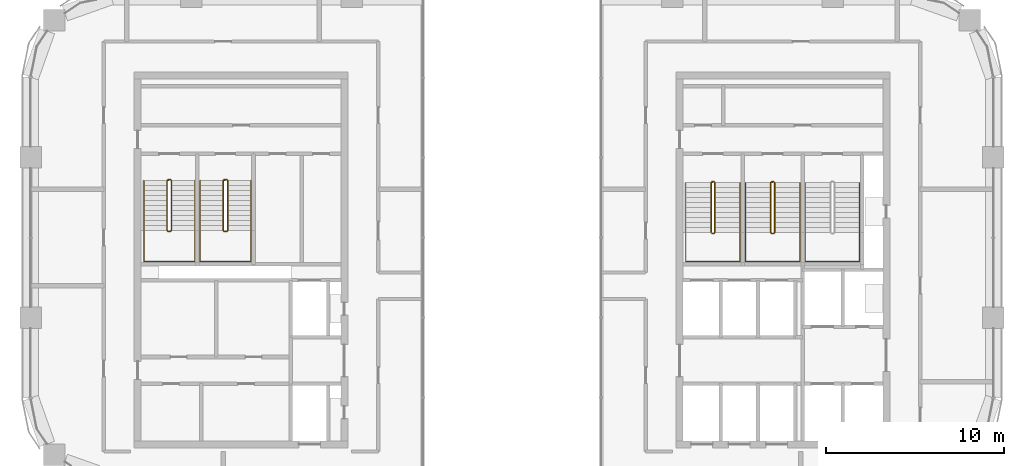
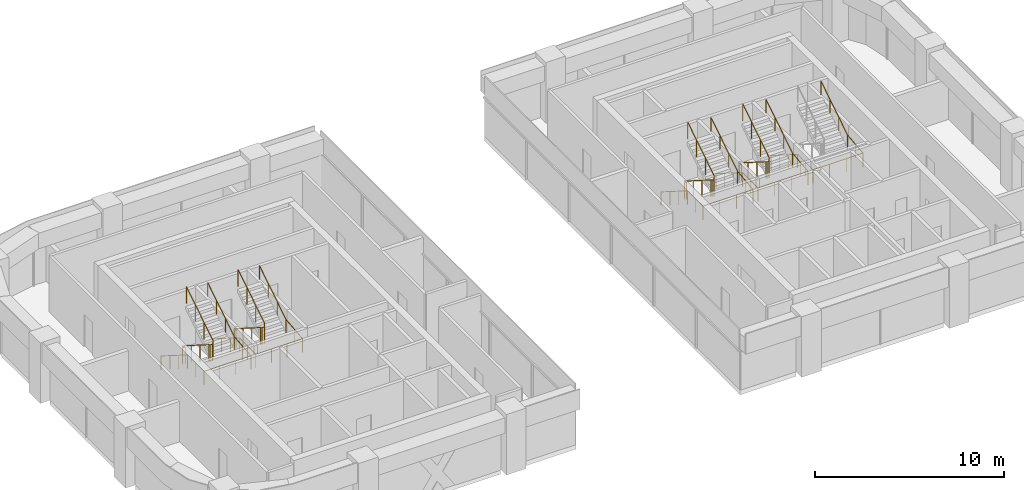
# One storey, part 11 of 12: 9 railings.
"""IFC4 building model written with IfcOpenShell, lengths in metres."""

from ifc_helpers import new_model, si_unit, direction, frame, origin, origin_2d, place, context, subcontext, project, spatial, circle, extrude, material, type_object, element, save


model = new_model("IFC4")

# Units and contexts
model_context = context("Model", 3, precision=1e-05, world=origin(), true_north=direction((0.0, 1.0)))
body_context = subcontext(model_context, "Body", "Model", "MODEL_VIEW")
ifc_project = project(units=[si_unit("LENGTHUNIT", "METRE"), si_unit("AREAUNIT", "SQUARE_METRE"), si_unit("VOLUMEUNIT", "CUBIC_METRE"), si_unit("PLANEANGLEUNIT", "RADIAN"), si_unit("MASSUNIT", "GRAM", prefix="KILO")], contexts=[model_context])

# Site, building, storey
site_placement = place(None, origin())
site = spatial("IfcSite", under=ifc_project, at=site_placement, CompositionType="ELEMENT")
building_placement = place(site_placement, origin())
building = spatial("IfcBuilding", under=site, at=building_placement, Name="Tessera Arch", CompositionType="ELEMENT")
storey_placement = place(building_placement, frame((0.0, 0.0, 207.199951171875)))
storey = spatial("IfcBuildingStorey", under=building, at=storey_placement, Name="L49", CompositionType="ELEMENT", Elevation=207.199951171875)

# Railings
ifc_material_1 = material(Name="Painted steel balustrade", Category="steel")
railing_type_1 = type_object("IfcRailingType", Name="Stair guard 1100", PredefinedType="GUARDRAIL", material=ifc_material_1)
railing_1_placement = place(storey_placement, frame((38.219970703125, 43.6298828125, 0.0)))
element("IfcRailing", 1, at=railing_1_placement, inside=storey, type_object=railing_type_1, Name="L49 S1a stair guard 1", PredefinedType="GUARDRAIL", context=body_context, shape_type="SweptSolid", body=[
    extrude(circle(Radius=0.02392578125, at=origin_2d()), frame((-0.00390625, 0.0, 1.076171875), z_axis=(1.0, 0.0, 0.0), x_axis=(0.0, 1.0, 0.0)), (0.0, 0.0, 1.0), 0.1181640625),
    extrude(circle(Radius=0.02392578125, at=origin_2d()), frame((0.11279296875, 0.000732421875, 1.0732421875), z_axis=(-0.656319048605, -0.204099216335, 0.726353093426), x_axis=(0.296948579431, -0.954893471113, 0.0)), (0.0, 0.0, 1.0), 0.251953125),
    extrude(circle(Radius=0.02392578125, at=origin_2d()), frame((-0.050048828125, -0.04638671875, 1.251220703125), z_axis=(0.0, -0.844908973607, 0.534910110503), x_axis=(1.0, 0.0, 0.0)), (0.0, 0.0, 1.0), 3.322021484375),
    extrude(circle(Radius=0.02392578125, at=origin_2d()), frame((-0.052978515625, -2.846923828125, 3.02587890625), z_axis=(0.707106781187, -0.707106781187, 0.0), x_axis=(0.707106781187, 0.707106781187, 0.0)), (0.0, 0.0, 1.0), 0.078857421875),
    extrude(circle(Radius=0.02392578125, at=origin_2d()), frame((-0.00390625, -2.89990234375, 3.02587890625), z_axis=(1.0, 0.0, 0.0), x_axis=(0.0, 1.0, 0.0)), (0.0, 0.0, 1.0), 0.1181640625),
    extrude(circle(Radius=0.02392578125, at=origin_2d()), frame((0.109130859375, -2.90087890625, 3.022216796875), z_axis=(0.260731885961, 0.262009983441, 0.929176868105), x_axis=(-0.708833529934, 0.705375805398, 0.0)), (0.0, 0.0, 1.0), 0.198974609375),
    extrude(circle(Radius=0.02392578125, at=origin_2d()), frame((0.159912109375, -2.853271484375, 3.201416015625), z_axis=(0.0, 0.844908973607, 0.534910110503), x_axis=(-1.0, 0.0, 0.0)), (0.0, 0.0, 1.0), 3.322021484375),
    extrude(circle(Radius=0.02099609375, at=origin_2d()), origin(), (0.0, 0.0, 1.0), 1.06396484375),
    extrude(circle(Radius=0.02099609375, at=origin_2d()), frame((0.110107421875, 0.0, 0.0)), (0.0, 0.0, 1.0), 1.06396484375),
    extrude(circle(Radius=0.02099609375, at=origin_2d()), frame((-0.050048828125, -0.0498046875, 0.17724609375)), (0.0, 0.0, 1.0), 1.06396484375),
    extrude(circle(Radius=0.02099609375, at=origin_2d()), frame((-0.050048828125, -0.983154296875, 0.76806640625)), (0.0, 0.0, 1.0), 1.06396484375),
    extrude(circle(Radius=0.02099609375, at=origin_2d()), frame((-0.050048828125, -1.91650390625, 1.359130859375)), (0.0, 0.0, 1.0), 1.06396484375),
    extrude(circle(Radius=0.02099609375, at=origin_2d()), frame((-0.050048828125, -2.849853515625, 1.949951171875)), (0.0, 0.0, 1.0), 1.06396484375),
    extrude(circle(Radius=0.02099609375, at=origin_2d()), frame((0.0, -2.89990234375, 1.949951171875)), (0.0, 0.0, 1.0), 1.06396484375),
    extrude(circle(Radius=0.02099609375, at=origin_2d()), frame((0.110107421875, -2.89990234375, 1.949951171875)), (0.0, 0.0, 1.0), 1.06396484375),
    extrude(circle(Radius=0.02099609375, at=origin_2d()), frame((0.159912109375, -2.849853515625, 2.12744140625)), (0.0, 0.0, 1.0), 1.06396484375),
    extrude(circle(Radius=0.02099609375, at=origin_2d()), frame((0.159912109375, -1.91650390625, 2.71826171875)), (0.0, 0.0, 1.0), 1.06396484375),
    extrude(circle(Radius=0.02099609375, at=origin_2d()), frame((0.159912109375, -0.983154296875, 3.309326171875)), (0.0, 0.0, 1.0), 1.06396484375),
    extrude(circle(Radius=0.02099609375, at=origin_2d()), frame((0.159912109375, -0.0498046875, 3.900146484375)), (0.0, 0.0, 1.0), 1.06396484375),
])
railing_2_placement = place(storey_placement, frame((41.570068359375, 43.6298828125, 0.0)))
element("IfcRailing", 2, at=railing_2_placement, inside=storey, type_object=railing_type_1, Name="L49 S1b stair guard 1", PredefinedType="GUARDRAIL", context=body_context, shape_type="SweptSolid", body=[
    extrude(circle(Radius=0.02392578125, at=origin_2d()), frame((-0.00390625, 0.0, 1.076171875), z_axis=(1.0, 0.0, 0.0), x_axis=(0.0, 1.0, 0.0)), (0.0, 0.0, 1.0), 0.117919921875),
    extrude(circle(Radius=0.02392578125, at=origin_2d()), frame((0.112548828125, 0.000732421875, 1.0732421875), z_axis=(-0.65574896516, -0.204233265485, 0.726830150696), x_axis=(0.297361876254, -0.954764847777, 0.0)), (0.0, 0.0, 1.0), 0.251953125),
    extrude(circle(Radius=0.02392578125, at=origin_2d()), frame((-0.050048828125, -0.04638671875, 1.251220703125), z_axis=(0.0, -0.844908973607, 0.534910110503), x_axis=(1.0, 0.0, 0.0)), (0.0, 0.0, 1.0), 3.322021484375),
    extrude(circle(Radius=0.02392578125, at=origin_2d()), frame((-0.052978515625, -2.846923828125, 3.02587890625), z_axis=(0.707106781187, -0.707106781187, 0.0), x_axis=(0.707106781187, 0.707106781187, 0.0)), (0.0, 0.0, 1.0), 0.078857421875),
    extrude(circle(Radius=0.02392578125, at=origin_2d()), frame((-0.00390625, -2.89990234375, 3.02587890625), z_axis=(1.0, 0.0, 0.0), x_axis=(0.0, 1.0, 0.0)), (0.0, 0.0, 1.0), 0.117919921875),
    extrude(circle(Radius=0.02392578125, at=origin_2d()), frame((0.10888671875, -2.90087890625, 3.022216796875), z_axis=(0.261922500866, 0.261922500866, 0.928866625022), x_axis=(-0.707106781187, 0.707106781187, 0.0)), (0.0, 0.0, 1.0), 0.198974609375),
    extrude(circle(Radius=0.02392578125, at=origin_2d()), frame((0.159912109375, -2.853271484375, 3.201416015625), z_axis=(0.0, 0.844908973607, 0.534910110503), x_axis=(-1.0, 0.0, 0.0)), (0.0, 0.0, 1.0), 3.322021484375),
    extrude(circle(Radius=0.02099609375, at=origin_2d()), origin(), (0.0, 0.0, 1.0), 1.06396484375),
    extrude(circle(Radius=0.02099609375, at=origin_2d()), frame((0.10986328125, 0.0, 0.0)), (0.0, 0.0, 1.0), 1.06396484375),
    extrude(circle(Radius=0.02099609375, at=origin_2d()), frame((-0.050048828125, -0.0498046875, 0.17724609375)), (0.0, 0.0, 1.0), 1.06396484375),
    extrude(circle(Radius=0.02099609375, at=origin_2d()), frame((-0.050048828125, -0.983154296875, 0.76806640625)), (0.0, 0.0, 1.0), 1.06396484375),
    extrude(circle(Radius=0.02099609375, at=origin_2d()), frame((-0.050048828125, -1.91650390625, 1.359130859375)), (0.0, 0.0, 1.0), 1.06396484375),
    extrude(circle(Radius=0.02099609375, at=origin_2d()), frame((-0.050048828125, -2.849853515625, 1.949951171875)), (0.0, 0.0, 1.0), 1.06396484375),
    extrude(circle(Radius=0.02099609375, at=origin_2d()), frame((0.0, -2.89990234375, 1.949951171875)), (0.0, 0.0, 1.0), 1.06396484375),
    extrude(circle(Radius=0.02099609375, at=origin_2d()), frame((0.10986328125, -2.89990234375, 1.949951171875)), (0.0, 0.0, 1.0), 1.06396484375),
    extrude(circle(Radius=0.02099609375, at=origin_2d()), frame((0.159912109375, -2.849853515625, 2.12744140625)), (0.0, 0.0, 1.0), 1.06396484375),
    extrude(circle(Radius=0.02099609375, at=origin_2d()), frame((0.159912109375, -1.91650390625, 2.71826171875)), (0.0, 0.0, 1.0), 1.06396484375),
    extrude(circle(Radius=0.02099609375, at=origin_2d()), frame((0.159912109375, -0.983154296875, 3.309326171875)), (0.0, 0.0, 1.0), 1.06396484375),
    extrude(circle(Radius=0.02099609375, at=origin_2d()), frame((0.159912109375, -0.0498046875, 3.900146484375)), (0.0, 0.0, 1.0), 1.06396484375),
])
railing_3_placement = place(storey_placement, frame((7.699951171875, 43.75, 0.0)))
element("IfcRailing", 3, at=railing_3_placement, inside=storey, type_object=railing_type_1, Name="L49 S2a stair guard 1", PredefinedType="GUARDRAIL", context=body_context, shape_type="SweptSolid", body=[
    extrude(circle(Radius=0.02392578125, at=origin_2d()), frame((-0.00390625, 0.0, 1.076171875), z_axis=(1.0, 0.0, 0.0), x_axis=(0.0, 1.0, 0.0)), (0.0, 0.0, 1.0), 0.158203125),
    extrude(circle(Radius=0.02392578125, at=origin_2d()), frame((0.153076171875, 0.000732421875, 1.073486328125), z_axis=(-0.735936453418, -0.183984113355, 0.651573006319), x_axis=(0.242535625036, -0.970142500145, 0.0)), (0.0, 0.0, 1.0), 0.280029296875),
    extrude(circle(Radius=0.02392578125, at=origin_2d()), frame((-0.050048828125, -0.046630859375, 1.251220703125), z_axis=(0.0, -0.844908973607, 0.534910110503), x_axis=(1.0, 0.0, 0.0)), (0.0, 0.0, 1.0), 3.322021484375),
    extrude(circle(Radius=0.02392578125, at=origin_2d()), frame((-0.052978515625, -2.84716796875, 3.02587890625), z_axis=(0.708833529934, -0.705375805398, 0.0), x_axis=(0.705375805398, 0.708833529934, 0.0)), (0.0, 0.0, 1.0), 0.07861328125),
    extrude(circle(Radius=0.02392578125, at=origin_2d()), frame((-0.00390625, -2.89990234375, 3.02587890625), z_axis=(1.0, 0.0, 0.0), x_axis=(0.0, 1.0, 0.0)), (0.0, 0.0, 1.0), 0.158203125),
    extrude(circle(Radius=0.02392578125, at=origin_2d()), frame((0.149169921875, -2.90087890625, 3.022216796875), z_axis=(0.26081902908, 0.26081902908, 0.92948742226), x_axis=(-0.707106781187, 0.707106781187, 0.0)), (0.0, 0.0, 1.0), 0.198974609375),
    extrude(circle(Radius=0.02392578125, at=origin_2d()), frame((0.199951171875, -2.853515625, 3.201416015625), z_axis=(0.0, 0.844908973607, 0.534910110503), x_axis=(-1.0, 0.0, 0.0)), (0.0, 0.0, 1.0), 3.322021484375),
    extrude(circle(Radius=0.02099609375, at=origin_2d()), origin(), (0.0, 0.0, 1.0), 1.06396484375),
    extrude(circle(Radius=0.02099609375, at=origin_2d()), frame((0.150146484375, 0.0, 0.0)), (0.0, 0.0, 1.0), 1.06396484375),
    extrude(circle(Radius=0.02099609375, at=origin_2d()), frame((-0.050048828125, -0.050048828125, 0.17724609375)), (0.0, 0.0, 1.0), 1.06396484375),
    extrude(circle(Radius=0.02099609375, at=origin_2d()), frame((-0.050048828125, -0.9833984375, 0.76806640625)), (0.0, 0.0, 1.0), 1.06396484375),
    extrude(circle(Radius=0.02099609375, at=origin_2d()), frame((-0.050048828125, -1.916748046875, 1.359130859375)), (0.0, 0.0, 1.0), 1.06396484375),
    extrude(circle(Radius=0.02099609375, at=origin_2d()), frame((-0.050048828125, -2.85009765625, 1.949951171875)), (0.0, 0.0, 1.0), 1.06396484375),
    extrude(circle(Radius=0.02099609375, at=origin_2d()), frame((0.0, -2.89990234375, 1.949951171875)), (0.0, 0.0, 1.0), 1.06396484375),
    extrude(circle(Radius=0.02099609375, at=origin_2d()), frame((0.150146484375, -2.89990234375, 1.949951171875)), (0.0, 0.0, 1.0), 1.06396484375),
    extrude(circle(Radius=0.02099609375, at=origin_2d()), frame((0.199951171875, -2.85009765625, 2.12744140625)), (0.0, 0.0, 1.0), 1.06396484375),
    extrude(circle(Radius=0.02099609375, at=origin_2d()), frame((0.199951171875, -1.916748046875, 2.71826171875)), (0.0, 0.0, 1.0), 1.06396484375),
    extrude(circle(Radius=0.02099609375, at=origin_2d()), frame((0.199951171875, -0.9833984375, 3.309326171875)), (0.0, 0.0, 1.0), 1.06396484375),
    extrude(circle(Radius=0.02099609375, at=origin_2d()), frame((0.199951171875, -0.050048828125, 3.900146484375)), (0.0, 0.0, 1.0), 1.06396484375),
])
railing_4_placement = place(storey_placement, frame((10.85009765625, 43.75, 0.0)))
element("IfcRailing", 4, at=railing_4_placement, inside=storey, type_object=railing_type_1, Name="L49 S2b stair guard 1", PredefinedType="GUARDRAIL", context=body_context, shape_type="SweptSolid", body=[
    extrude(circle(Radius=0.02392578125, at=origin_2d()), frame((-0.00390625, 0.0, 1.076171875), z_axis=(1.0, 0.0, 0.0), x_axis=(0.0, 1.0, 0.0)), (0.0, 0.0, 1.0), 0.157958984375),
    extrude(circle(Radius=0.02392578125, at=origin_2d()), frame((0.15283203125, 0.000732421875, 1.073486328125), z_axis=(-0.735524641326, -0.184105679453, 0.652003528208), x_axis=(0.242814311512, -0.970072785993, 0.0)), (0.0, 0.0, 1.0), 0.27978515625),
    extrude(circle(Radius=0.02392578125, at=origin_2d()), frame((-0.050048828125, -0.046630859375, 1.251220703125), z_axis=(0.0, -0.844908973607, 0.534910110503), x_axis=(1.0, 0.0, 0.0)), (0.0, 0.0, 1.0), 3.322021484375),
    extrude(circle(Radius=0.02392578125, at=origin_2d()), frame((-0.052978515625, -2.84716796875, 3.02587890625), z_axis=(0.708833529934, -0.705375805398, 0.0), x_axis=(0.705375805398, 0.708833529934, 0.0)), (0.0, 0.0, 1.0), 0.07861328125),
    extrude(circle(Radius=0.02392578125, at=origin_2d()), frame((-0.00390625, -2.89990234375, 3.02587890625), z_axis=(1.0, 0.0, 0.0), x_axis=(0.0, 1.0, 0.0)), (0.0, 0.0, 1.0), 0.157958984375),
    extrude(circle(Radius=0.02392578125, at=origin_2d()), frame((0.14892578125, -2.90087890625, 3.022216796875), z_axis=(0.262009983441, 0.260731885961, 0.929176868105), x_axis=(-0.705375805398, 0.708833529934, 0.0)), (0.0, 0.0, 1.0), 0.198974609375),
    extrude(circle(Radius=0.02392578125, at=origin_2d()), frame((0.199951171875, -2.853515625, 3.201416015625), z_axis=(0.0, 0.844908973607, 0.534910110503), x_axis=(-1.0, 0.0, 0.0)), (0.0, 0.0, 1.0), 3.322021484375),
    extrude(circle(Radius=0.02099609375, at=origin_2d()), origin(), (0.0, 0.0, 1.0), 1.06396484375),
    extrude(circle(Radius=0.02099609375, at=origin_2d()), frame((0.14990234375, 0.0, 0.0)), (0.0, 0.0, 1.0), 1.06396484375),
    extrude(circle(Radius=0.02099609375, at=origin_2d()), frame((-0.050048828125, -0.050048828125, 0.17724609375)), (0.0, 0.0, 1.0), 1.06396484375),
    extrude(circle(Radius=0.02099609375, at=origin_2d()), frame((-0.050048828125, -0.9833984375, 0.76806640625)), (0.0, 0.0, 1.0), 1.06396484375),
    extrude(circle(Radius=0.02099609375, at=origin_2d()), frame((-0.050048828125, -1.916748046875, 1.359130859375)), (0.0, 0.0, 1.0), 1.06396484375),
    extrude(circle(Radius=0.02099609375, at=origin_2d()), frame((-0.050048828125, -2.85009765625, 1.949951171875)), (0.0, 0.0, 1.0), 1.06396484375),
    extrude(circle(Radius=0.02099609375, at=origin_2d()), frame((0.0, -2.89990234375, 1.949951171875)), (0.0, 0.0, 1.0), 1.06396484375),
    extrude(circle(Radius=0.02099609375, at=origin_2d()), frame((0.14990234375, -2.89990234375, 1.949951171875)), (0.0, 0.0, 1.0), 1.06396484375),
    extrude(circle(Radius=0.02099609375, at=origin_2d()), frame((0.199951171875, -2.85009765625, 2.12744140625)), (0.0, 0.0, 1.0), 1.06396484375),
    extrude(circle(Radius=0.02099609375, at=origin_2d()), frame((0.199951171875, -1.916748046875, 2.71826171875)), (0.0, 0.0, 1.0), 1.06396484375),
    extrude(circle(Radius=0.02099609375, at=origin_2d()), frame((0.199951171875, -0.9833984375, 3.309326171875)), (0.0, 0.0, 1.0), 1.06396484375),
    extrude(circle(Radius=0.02099609375, at=origin_2d()), frame((0.199951171875, -0.050048828125, 3.900146484375)), (0.0, 0.0, 1.0), 1.06396484375),
])
ifc_material_2 = material(Name="Painted steel handrail", Category="steel")
railing_type_2 = type_object("IfcRailingType", Name="Stair handrail 900", PredefinedType="HANDRAIL", material=ifc_material_2)
railing_5_placement = place(storey_placement, frame((36.75, 43.580078125, 0.17724609375)))
element("IfcRailing", 5, at=railing_5_placement, inside=storey, type_object=railing_type_2, Name="L49 S1a stair handrail", PredefinedType="HANDRAIL", context=body_context, shape_type="SweptSolid", body=[
    extrude(circle(Radius=0.02392578125, at=origin_2d()), frame((0.0, 0.00341796875, 0.873779296875), z_axis=(0.0, -0.844908973607, 0.534910110503), x_axis=(1.0, 0.0, 0.0)), (0.0, 0.0, 1.0), 3.322021484375),
    extrude(circle(Radius=0.02392578125, at=origin_2d()), frame((0.0, -2.796142578125, 2.6484375), z_axis=(0.0, -1.0, 0.0), x_axis=(1.0, 0.0, 0.0)), (0.0, 0.0, 1.0), 1.63818359375),
    extrude(circle(Radius=0.02392578125, at=origin_2d()), frame((-0.00390625, -4.43017578125, 2.6484375), z_axis=(1.0, 0.0, 0.0), x_axis=(0.0, 1.0, 0.0)), (0.0, 0.0, 1.0), 3.05810546875),
    extrude(circle(Radius=0.02392578125, at=origin_2d()), frame((3.050048828125, -4.43408203125, 2.648193359375), z_axis=(0.0, 0.994124627078, 0.108241516233), x_axis=(-1.0, 0.0, 0.0)), (0.0, 0.0, 1.0), 1.647705078125),
    extrude(circle(Radius=0.02392578125, at=origin_2d()), frame((3.050048828125, -2.803466796875, 2.823974609375), z_axis=(0.0, 0.844908973607, 0.534910110503), x_axis=(-1.0, 0.0, 0.0)), (0.0, 0.0, 1.0), 3.322021484375),
    extrude(circle(Radius=0.02099609375, at=origin_2d()), origin(), (0.0, 0.0, 1.0), 0.86376953125),
    extrude(circle(Radius=0.02099609375, at=origin_2d()), frame((0.0, -0.933349609375, 0.5908203125)), (0.0, 0.0, 1.0), 0.86376953125),
    extrude(circle(Radius=0.02099609375, at=origin_2d()), frame((0.0, -1.86669921875, 1.181884765625)), (0.0, 0.0, 1.0), 0.86376953125),
    extrude(circle(Radius=0.02099609375, at=origin_2d()), frame((0.0, -2.800048828125, 1.772705078125)), (0.0, 0.0, 1.0), 0.86376953125),
    extrude(circle(Radius=0.02099609375, at=origin_2d()), frame((0.0, -3.615234375, 1.772705078125)), (0.0, 0.0, 1.0), 0.86376953125),
    extrude(circle(Radius=0.02099609375, at=origin_2d()), frame((0.0, -4.43017578125, 1.772705078125)), (0.0, 0.0, 1.0), 0.86376953125),
    extrude(circle(Radius=0.02099609375, at=origin_2d()), frame((1.0166015625, -4.43017578125, 1.772705078125)), (0.0, 0.0, 1.0), 0.86376953125),
    extrude(circle(Radius=0.02099609375, at=origin_2d()), frame((2.033447265625, -4.43017578125, 1.772705078125)), (0.0, 0.0, 1.0), 0.86376953125),
    extrude(circle(Radius=0.02099609375, at=origin_2d()), frame((3.050048828125, -4.43017578125, 1.772705078125)), (0.0, 0.0, 1.0), 0.86376953125),
    extrude(circle(Radius=0.02099609375, at=origin_2d()), frame((3.050048828125, -3.615234375, 1.861328125)), (0.0, 0.0, 1.0), 0.86376953125),
    extrude(circle(Radius=0.02099609375, at=origin_2d()), frame((3.050048828125, -2.800048828125, 1.9501953125)), (0.0, 0.0, 1.0), 0.86376953125),
    extrude(circle(Radius=0.02099609375, at=origin_2d()), frame((3.050048828125, -1.86669921875, 2.541015625)), (0.0, 0.0, 1.0), 0.86376953125),
    extrude(circle(Radius=0.02099609375, at=origin_2d()), frame((3.050048828125, -0.933349609375, 3.132080078125)), (0.0, 0.0, 1.0), 0.86376953125),
    extrude(circle(Radius=0.02099609375, at=origin_2d()), frame((3.050048828125, 0.0, 3.722900390625)), (0.0, 0.0, 1.0), 0.86376953125),
])
railing_6_placement = place(storey_placement, frame((40.10009765625, 43.580078125, 0.17724609375)))
element("IfcRailing", 6, at=railing_6_placement, inside=storey, type_object=railing_type_2, Name="L49 S1b stair handrail", PredefinedType="HANDRAIL", context=body_context, shape_type="SweptSolid", body=[
    extrude(circle(Radius=0.02392578125, at=origin_2d()), frame((0.0, 0.00341796875, 0.873779296875), z_axis=(0.0, -0.844908973607, 0.534910110503), x_axis=(1.0, 0.0, 0.0)), (0.0, 0.0, 1.0), 3.322021484375),
    extrude(circle(Radius=0.02392578125, at=origin_2d()), frame((0.0, -2.796142578125, 2.6484375), z_axis=(0.0, -1.0, 0.0), x_axis=(1.0, 0.0, 0.0)), (0.0, 0.0, 1.0), 1.63818359375),
    extrude(circle(Radius=0.02392578125, at=origin_2d()), frame((-0.00390625, -4.43017578125, 2.6484375), z_axis=(1.0, 0.0, 0.0), x_axis=(0.0, 1.0, 0.0)), (0.0, 0.0, 1.0), 3.057861328125),
    extrude(circle(Radius=0.02392578125, at=origin_2d()), frame((3.0498046875, -4.43408203125, 2.648193359375), z_axis=(0.0, 0.994124627078, 0.108241516233), x_axis=(-1.0, 0.0, 0.0)), (0.0, 0.0, 1.0), 1.647705078125),
    extrude(circle(Radius=0.02392578125, at=origin_2d()), frame((3.0498046875, -2.803466796875, 2.823974609375), z_axis=(0.0, 0.844908973607, 0.534910110503), x_axis=(-1.0, 0.0, 0.0)), (0.0, 0.0, 1.0), 3.322021484375),
    extrude(circle(Radius=0.02099609375, at=origin_2d()), origin(), (0.0, 0.0, 1.0), 0.86376953125),
    extrude(circle(Radius=0.02099609375, at=origin_2d()), frame((0.0, -0.933349609375, 0.5908203125)), (0.0, 0.0, 1.0), 0.86376953125),
    extrude(circle(Radius=0.02099609375, at=origin_2d()), frame((0.0, -1.86669921875, 1.181884765625)), (0.0, 0.0, 1.0), 0.86376953125),
    extrude(circle(Radius=0.02099609375, at=origin_2d()), frame((0.0, -2.800048828125, 1.772705078125)), (0.0, 0.0, 1.0), 0.86376953125),
    extrude(circle(Radius=0.02099609375, at=origin_2d()), frame((0.0, -3.615234375, 1.772705078125)), (0.0, 0.0, 1.0), 0.86376953125),
    extrude(circle(Radius=0.02099609375, at=origin_2d()), frame((0.0, -4.43017578125, 1.772705078125)), (0.0, 0.0, 1.0), 0.86376953125),
    extrude(circle(Radius=0.02099609375, at=origin_2d()), frame((1.0166015625, -4.43017578125, 1.772705078125)), (0.0, 0.0, 1.0), 0.86376953125),
    extrude(circle(Radius=0.02099609375, at=origin_2d()), frame((2.033203125, -4.43017578125, 1.772705078125)), (0.0, 0.0, 1.0), 0.86376953125),
    extrude(circle(Radius=0.02099609375, at=origin_2d()), frame((3.0498046875, -4.43017578125, 1.772705078125)), (0.0, 0.0, 1.0), 0.86376953125),
    extrude(circle(Radius=0.02099609375, at=origin_2d()), frame((3.0498046875, -3.615234375, 1.861328125)), (0.0, 0.0, 1.0), 0.86376953125),
    extrude(circle(Radius=0.02099609375, at=origin_2d()), frame((3.0498046875, -2.800048828125, 1.9501953125)), (0.0, 0.0, 1.0), 0.86376953125),
    extrude(circle(Radius=0.02099609375, at=origin_2d()), frame((3.0498046875, -1.86669921875, 2.541015625)), (0.0, 0.0, 1.0), 0.86376953125),
    extrude(circle(Radius=0.02099609375, at=origin_2d()), frame((3.0498046875, -0.933349609375, 3.132080078125)), (0.0, 0.0, 1.0), 0.86376953125),
    extrude(circle(Radius=0.02099609375, at=origin_2d()), frame((3.0498046875, 0.0, 3.722900390625)), (0.0, 0.0, 1.0), 0.86376953125),
])
railing_7_placement = place(storey_placement, frame((43.449951171875, 43.580078125, 0.17724609375)))
element("IfcRailing", 7, at=railing_7_placement, inside=storey, type_object=railing_type_2, Name="L49 S1c stair handrail", PredefinedType="HANDRAIL", context=body_context, shape_type="SweptSolid", body=[
    extrude(circle(Radius=0.02392578125, at=origin_2d()), frame((0.0, 0.00341796875, 0.873779296875), z_axis=(0.0, -0.844908973607, 0.534910110503), x_axis=(1.0, 0.0, 0.0)), (0.0, 0.0, 1.0), 3.322021484375),
    extrude(circle(Radius=0.02392578125, at=origin_2d()), frame((0.0, -2.796142578125, 2.6484375), z_axis=(0.0, -1.0, 0.0), x_axis=(1.0, 0.0, 0.0)), (0.0, 0.0, 1.0), 1.63818359375),
    extrude(circle(Radius=0.02392578125, at=origin_2d()), frame((-0.00390625, -4.43017578125, 2.6484375), z_axis=(1.0, 0.0, 0.0), x_axis=(0.0, 1.0, 0.0)), (0.0, 0.0, 1.0), 3.05810546875),
    extrude(circle(Radius=0.02392578125, at=origin_2d()), frame((3.050048828125, -4.43408203125, 2.648193359375), z_axis=(0.0, 0.994124627078, 0.108241516233), x_axis=(-1.0, 0.0, 0.0)), (0.0, 0.0, 1.0), 1.647705078125),
    extrude(circle(Radius=0.02392578125, at=origin_2d()), frame((3.050048828125, -2.803466796875, 2.823974609375), z_axis=(0.0, 0.844908973607, 0.534910110503), x_axis=(-1.0, 0.0, 0.0)), (0.0, 0.0, 1.0), 3.322021484375),
    extrude(circle(Radius=0.02099609375, at=origin_2d()), origin(), (0.0, 0.0, 1.0), 0.86376953125),
    extrude(circle(Radius=0.02099609375, at=origin_2d()), frame((0.0, -0.933349609375, 0.5908203125)), (0.0, 0.0, 1.0), 0.86376953125),
    extrude(circle(Radius=0.02099609375, at=origin_2d()), frame((0.0, -1.86669921875, 1.181884765625)), (0.0, 0.0, 1.0), 0.86376953125),
    extrude(circle(Radius=0.02099609375, at=origin_2d()), frame((0.0, -2.800048828125, 1.772705078125)), (0.0, 0.0, 1.0), 0.86376953125),
    extrude(circle(Radius=0.02099609375, at=origin_2d()), frame((0.0, -3.615234375, 1.772705078125)), (0.0, 0.0, 1.0), 0.86376953125),
    extrude(circle(Radius=0.02099609375, at=origin_2d()), frame((0.0, -4.43017578125, 1.772705078125)), (0.0, 0.0, 1.0), 0.86376953125),
    extrude(circle(Radius=0.02099609375, at=origin_2d()), frame((1.0166015625, -4.43017578125, 1.772705078125)), (0.0, 0.0, 1.0), 0.86376953125),
    extrude(circle(Radius=0.02099609375, at=origin_2d()), frame((2.033447265625, -4.43017578125, 1.772705078125)), (0.0, 0.0, 1.0), 0.86376953125),
    extrude(circle(Radius=0.02099609375, at=origin_2d()), frame((3.050048828125, -4.43017578125, 1.772705078125)), (0.0, 0.0, 1.0), 0.86376953125),
    extrude(circle(Radius=0.02099609375, at=origin_2d()), frame((3.050048828125, -3.615234375, 1.861328125)), (0.0, 0.0, 1.0), 0.86376953125),
    extrude(circle(Radius=0.02099609375, at=origin_2d()), frame((3.050048828125, -2.800048828125, 1.9501953125)), (0.0, 0.0, 1.0), 0.86376953125),
    extrude(circle(Radius=0.02099609375, at=origin_2d()), frame((3.050048828125, -1.86669921875, 2.541015625)), (0.0, 0.0, 1.0), 0.86376953125),
    extrude(circle(Radius=0.02099609375, at=origin_2d()), frame((3.050048828125, -0.933349609375, 3.132080078125)), (0.0, 0.0, 1.0), 0.86376953125),
    extrude(circle(Radius=0.02099609375, at=origin_2d()), frame((3.050048828125, 0.0, 3.722900390625)), (0.0, 0.0, 1.0), 0.86376953125),
])
railing_8_placement = place(storey_placement, frame((6.35009765625, 43.699951171875, 0.17724609375)))
element("IfcRailing", 8, at=railing_8_placement, inside=storey, type_object=railing_type_2, Name="L49 S2a stair handrail", PredefinedType="HANDRAIL", context=body_context, shape_type="SweptSolid", body=[
    extrude(circle(Radius=0.02392578125, at=origin_2d()), frame((0.0, 0.00341796875, 0.873779296875), z_axis=(0.0, -0.844908973607, 0.534910110503), x_axis=(1.0, 0.0, 0.0)), (0.0, 0.0, 1.0), 3.322021484375),
    extrude(circle(Radius=0.02392578125, at=origin_2d()), frame((0.0, -2.796142578125, 2.6484375), z_axis=(0.0, -1.0, 0.0), x_axis=(1.0, 0.0, 0.0)), (0.0, 0.0, 1.0), 1.758056640625),
    extrude(circle(Radius=0.02392578125, at=origin_2d()), frame((-0.00390625, -4.550048828125, 2.6484375), z_axis=(1.0, 0.0, 0.0), x_axis=(0.0, 1.0, 0.0)), (0.0, 0.0, 1.0), 2.85791015625),
    extrude(circle(Radius=0.02392578125, at=origin_2d()), frame((2.849853515625, -4.553955078125, 2.648193359375), z_axis=(0.0, 0.994896031807, 0.100905331351), x_axis=(-1.0, 0.0, 0.0)), (0.0, 0.0, 1.0), 1.76708984375),
    extrude(circle(Radius=0.02392578125, at=origin_2d()), frame((2.849853515625, -2.803466796875, 2.823974609375), z_axis=(0.0, 0.844908973607, 0.534910110503), x_axis=(-1.0, 0.0, 0.0)), (0.0, 0.0, 1.0), 3.322021484375),
    extrude(circle(Radius=0.02099609375, at=origin_2d()), origin(), (0.0, 0.0, 1.0), 0.86376953125),
    extrude(circle(Radius=0.02099609375, at=origin_2d()), frame((0.0, -0.933349609375, 0.5908203125)), (0.0, 0.0, 1.0), 0.86376953125),
    extrude(circle(Radius=0.02099609375, at=origin_2d()), frame((0.0, -1.86669921875, 1.181884765625)), (0.0, 0.0, 1.0), 0.86376953125),
    extrude(circle(Radius=0.02099609375, at=origin_2d()), frame((0.0, -2.800048828125, 1.772705078125)), (0.0, 0.0, 1.0), 0.86376953125),
    extrude(circle(Radius=0.02099609375, at=origin_2d()), frame((0.0, -3.675048828125, 1.772705078125)), (0.0, 0.0, 1.0), 0.86376953125),
    extrude(circle(Radius=0.02099609375, at=origin_2d()), frame((0.0, -4.550048828125, 1.772705078125)), (0.0, 0.0, 1.0), 0.86376953125),
    extrude(circle(Radius=0.02099609375, at=origin_2d()), frame((0.949951171875, -4.550048828125, 1.772705078125)), (0.0, 0.0, 1.0), 0.86376953125),
    extrude(circle(Radius=0.02099609375, at=origin_2d()), frame((1.89990234375, -4.550048828125, 1.772705078125)), (0.0, 0.0, 1.0), 0.86376953125),
    extrude(circle(Radius=0.02099609375, at=origin_2d()), frame((2.849853515625, -4.550048828125, 1.772705078125)), (0.0, 0.0, 1.0), 0.86376953125),
    extrude(circle(Radius=0.02099609375, at=origin_2d()), frame((2.849853515625, -3.675048828125, 1.861328125)), (0.0, 0.0, 1.0), 0.86376953125),
    extrude(circle(Radius=0.02099609375, at=origin_2d()), frame((2.849853515625, -2.800048828125, 1.9501953125)), (0.0, 0.0, 1.0), 0.86376953125),
    extrude(circle(Radius=0.02099609375, at=origin_2d()), frame((2.849853515625, -1.86669921875, 2.541015625)), (0.0, 0.0, 1.0), 0.86376953125),
    extrude(circle(Radius=0.02099609375, at=origin_2d()), frame((2.849853515625, -0.933349609375, 3.132080078125)), (0.0, 0.0, 1.0), 0.86376953125),
    extrude(circle(Radius=0.02099609375, at=origin_2d()), frame((2.849853515625, 0.0, 3.722900390625)), (0.0, 0.0, 1.0), 0.86376953125),
])
railing_9_placement = place(storey_placement, frame((9.5, 43.699951171875, 0.17724609375)))
element("IfcRailing", 9, at=railing_9_placement, inside=storey, type_object=railing_type_2, Name="L49 S2b stair handrail", PredefinedType="HANDRAIL", context=body_context, shape_type="SweptSolid", body=[
    extrude(circle(Radius=0.02392578125, at=origin_2d()), frame((0.0, 0.00341796875, 0.873779296875), z_axis=(0.0, -0.844908973607, 0.534910110503), x_axis=(1.0, 0.0, 0.0)), (0.0, 0.0, 1.0), 3.322021484375),
    extrude(circle(Radius=0.02392578125, at=origin_2d()), frame((0.0, -2.796142578125, 2.6484375), z_axis=(0.0, -1.0, 0.0), x_axis=(1.0, 0.0, 0.0)), (0.0, 0.0, 1.0), 1.758056640625),
    extrude(circle(Radius=0.02392578125, at=origin_2d()), frame((-0.00390625, -4.550048828125, 2.6484375), z_axis=(1.0, 0.0, 0.0), x_axis=(0.0, 1.0, 0.0)), (0.0, 0.0, 1.0), 2.858154296875),
    extrude(circle(Radius=0.02392578125, at=origin_2d()), frame((2.85009765625, -4.553955078125, 2.648193359375), z_axis=(0.0, 0.994896031807, 0.100905331351), x_axis=(-1.0, 0.0, 0.0)), (0.0, 0.0, 1.0), 1.76708984375),
    extrude(circle(Radius=0.02392578125, at=origin_2d()), frame((2.85009765625, -2.803466796875, 2.823974609375), z_axis=(0.0, 0.844908973607, 0.534910110503), x_axis=(-1.0, 0.0, 0.0)), (0.0, 0.0, 1.0), 3.322021484375),
    extrude(circle(Radius=0.02099609375, at=origin_2d()), origin(), (0.0, 0.0, 1.0), 0.86376953125),
    extrude(circle(Radius=0.02099609375, at=origin_2d()), frame((0.0, -0.933349609375, 0.5908203125)), (0.0, 0.0, 1.0), 0.86376953125),
    extrude(circle(Radius=0.02099609375, at=origin_2d()), frame((0.0, -1.86669921875, 1.181884765625)), (0.0, 0.0, 1.0), 0.86376953125),
    extrude(circle(Radius=0.02099609375, at=origin_2d()), frame((0.0, -2.800048828125, 1.772705078125)), (0.0, 0.0, 1.0), 0.86376953125),
    extrude(circle(Radius=0.02099609375, at=origin_2d()), frame((0.0, -3.675048828125, 1.772705078125)), (0.0, 0.0, 1.0), 0.86376953125),
    extrude(circle(Radius=0.02099609375, at=origin_2d()), frame((0.0, -4.550048828125, 1.772705078125)), (0.0, 0.0, 1.0), 0.86376953125),
    extrude(circle(Radius=0.02099609375, at=origin_2d()), frame((0.949951171875, -4.550048828125, 1.772705078125)), (0.0, 0.0, 1.0), 0.86376953125),
    extrude(circle(Radius=0.02099609375, at=origin_2d()), frame((1.900146484375, -4.550048828125, 1.772705078125)), (0.0, 0.0, 1.0), 0.86376953125),
    extrude(circle(Radius=0.02099609375, at=origin_2d()), frame((2.85009765625, -4.550048828125, 1.772705078125)), (0.0, 0.0, 1.0), 0.86376953125),
    extrude(circle(Radius=0.02099609375, at=origin_2d()), frame((2.85009765625, -3.675048828125, 1.861328125)), (0.0, 0.0, 1.0), 0.86376953125),
    extrude(circle(Radius=0.02099609375, at=origin_2d()), frame((2.85009765625, -2.800048828125, 1.9501953125)), (0.0, 0.0, 1.0), 0.86376953125),
    extrude(circle(Radius=0.02099609375, at=origin_2d()), frame((2.85009765625, -1.86669921875, 2.541015625)), (0.0, 0.0, 1.0), 0.86376953125),
    extrude(circle(Radius=0.02099609375, at=origin_2d()), frame((2.85009765625, -0.933349609375, 3.132080078125)), (0.0, 0.0, 1.0), 0.86376953125),
    extrude(circle(Radius=0.02099609375, at=origin_2d()), frame((2.85009765625, 0.0, 3.722900390625)), (0.0, 0.0, 1.0), 0.86376953125),
])

save(model, "model.ifc")
